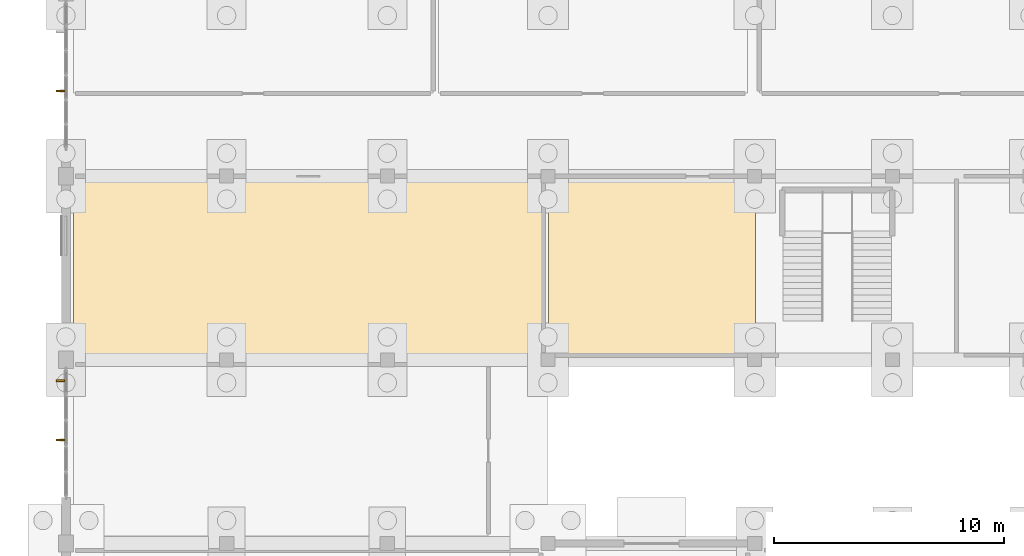
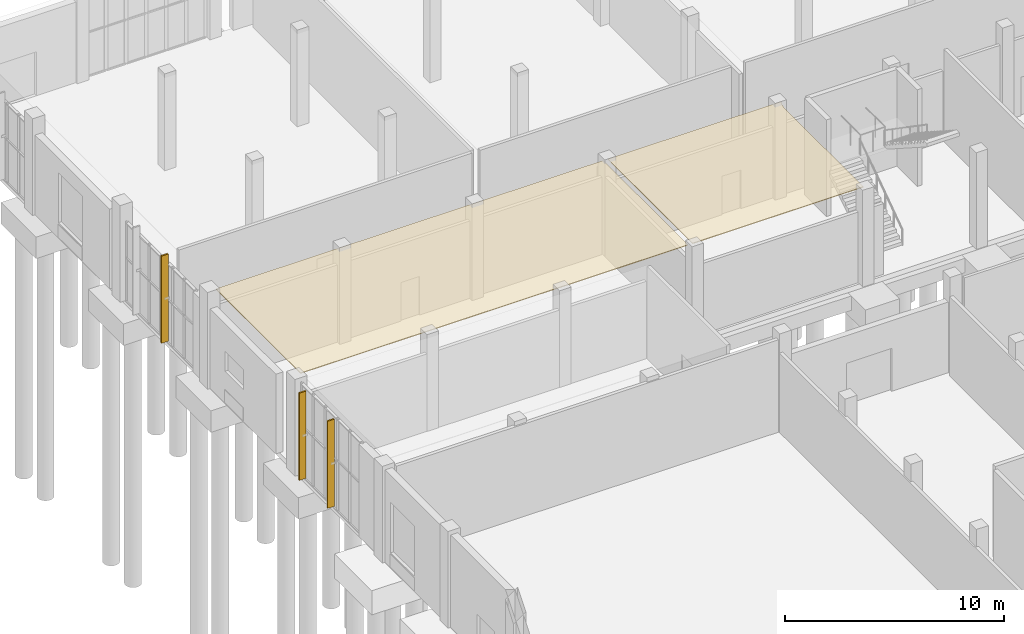
# One storey, part 65 of 69: 3 shading devices, 2 coverings.
"""IFC4 building model written with IfcOpenShell, lengths in metres."""

from ifc_helpers import new_model, si_unit, direction, frame, origin, origin_2d, place, context, subcontext, project, spatial, polyline, rectangle, outline, extrude, material, layer, layer_set, type_object, element, save


model = new_model("IFC4")

# Units and contexts
model_context = context("Model", 3, precision=1e-05, world=origin(), true_north=direction((0.0, 1.0)))
body_context = subcontext(model_context, "Body", "Model", "MODEL_VIEW")
ifc_project = project(units=[si_unit("LENGTHUNIT", "METRE"), si_unit("AREAUNIT", "SQUARE_METRE"), si_unit("VOLUMEUNIT", "CUBIC_METRE"), si_unit("PLANEANGLEUNIT", "RADIAN"), si_unit("MASSUNIT", "GRAM", prefix="KILO")], contexts=[model_context])

# Site, building, storey
site_placement = place(None, origin())
site = spatial("IfcSite", under=ifc_project, at=site_placement, CompositionType="ELEMENT")
building_placement = place(site_placement, origin())
building = spatial("IfcBuilding", under=site, at=building_placement, Name="Solvane Community Centre", CompositionType="ELEMENT")
storey_placement = place(building_placement, origin())
storey = spatial("IfcBuildingStorey", under=building, at=storey_placement, Name="L00", CompositionType="ELEMENT", Elevation=0.0)

# Coverings
ifc_material_1 = material(Name="Acoustic timber slat ceiling", Category="wood")
ifc_layer = layer(ifc_material_1, 0.0400390625)
ifc_layer_set = layer_set([ifc_layer], Name="Acoustic timber slat ceiling")
covering_type = type_object("IfcCoveringType", Name="Acoustic Timber Slat Suspended Ceiling", PredefinedType="CEILING", material=ifc_layer_set)
covering_1_placement = place(storey_placement, frame((0.0, 0.0, 5.135009765625)))
element("IfcCovering", 1, at=covering_1_placement, inside=storey, type_object=covering_type, Name="Acoustic Ceiling L00-47", PredefinedType="CEILING", context=body_context, shape_type="SweptSolid", body=[
    extrude(outline(polyline([(6.320068359375, 86.219970703125), (6.320068359375, 93.97998046875), (26.780029296875, 93.97998046875), (26.780029296875, 86.219970703125), (6.320068359375, 86.219970703125)])), origin(), (0.0, 0.0, 1.0), 0.0400390625),
])
covering_2_placement = place(storey_placement, frame((0.0, 0.0, 5.135009765625)))
element("IfcCovering", 2, at=covering_2_placement, inside=storey, type_object=covering_type, Name="Acoustic Ceiling L00-48", PredefinedType="CEILING", context=body_context, shape_type="SweptSolid", body=[
    extrude(outline(polyline([(27.02001953125, 86.219970703125), (27.02001953125, 93.97998046875), (36.196044921875, 93.97998046875), (36.15478515625, 93.903076171875), (36.148193359375, 93.888916015625), (36.110595703125, 93.798095703125), (36.105224609375, 93.783203125), (36.076904296875, 93.689453125), (36.072998046875, 93.67431640625), (36.053955078125, 93.577880859375), (36.051513671875, 93.5625), (36.0419921875, 93.46484375), (36.041259765625, 93.44921875), (36.0400390625, 93.39990234375), (36.0400390625, 86.219970703125), (27.02001953125, 86.219970703125)])), origin(), (0.0, 0.0, 1.0), 0.0400390625),
])

# Shading devices
ifc_material_2 = material(Name="Anodised bronze aluminium AW-6063 T6", Category="aluminium")
shading_device_type = type_object("IfcShadingDeviceType", Name="Art Deco Bronze Solar Fin 80x360", PredefinedType="USERDEFINED", material=ifc_material_2)
shading_device_1_placement = place(storey_placement, frame((5.760009765625, 82.508056640625, 0.14990234375), z_axis=(0.0, 0.0, 1.0), x_axis=(0.0, 1.0, 0.0)))
element("IfcShadingDevice", 3, at=shading_device_1_placement, inside=storey, type_object=shading_device_type, Name="Solar Brise-Soleil Fin 7", ObjectType="Solar Brise-Soleil Fin 7", PredefinedType="USERDEFINED", context=body_context, shape_type="SweptSolid", body=[
    extrude(rectangle(XDim=0.080078125, YDim=0.360107421875, at=origin_2d()), origin(), (0.0, 0.0, 1.0), 4.860107421875),
])
shading_device_2_placement = place(storey_placement, frame((5.760009765625, 85.092041015625, 0.14990234375), z_axis=(0.0, 0.0, 1.0), x_axis=(0.0, 1.0, 0.0)))
element("IfcShadingDevice", 4, at=shading_device_2_placement, inside=storey, type_object=shading_device_type, Name="Solar Brise-Soleil Fin 8", ObjectType="Solar Brise-Soleil Fin 8", PredefinedType="USERDEFINED", context=body_context, shape_type="SweptSolid", body=[
    extrude(rectangle(XDim=0.080078125, YDim=0.360107421875, at=origin_2d()), origin(), (0.0, 0.0, 1.0), 4.860107421875),
])
shading_device_3_placement = place(storey_placement, frame((5.760009765625, 97.7080078125, 0.14990234375), z_axis=(0.0, 0.0, 1.0), x_axis=(0.0, 1.0, 0.0)))
element("IfcShadingDevice", 5, at=shading_device_3_placement, inside=storey, type_object=shading_device_type, Name="Solar Brise-Soleil Fin 9", ObjectType="Solar Brise-Soleil Fin 9", PredefinedType="USERDEFINED", context=body_context, shape_type="SweptSolid", body=[
    extrude(rectangle(XDim=0.080078125, YDim=0.360107421875, at=origin_2d()), origin(), (0.0, 0.0, 1.0), 4.860107421875),
])

save(model, "model.ifc")
